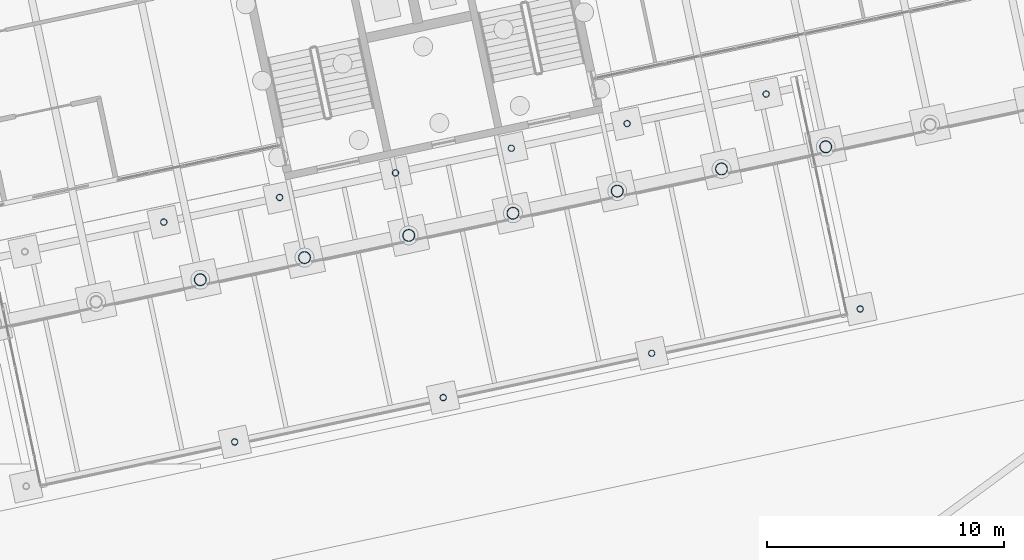
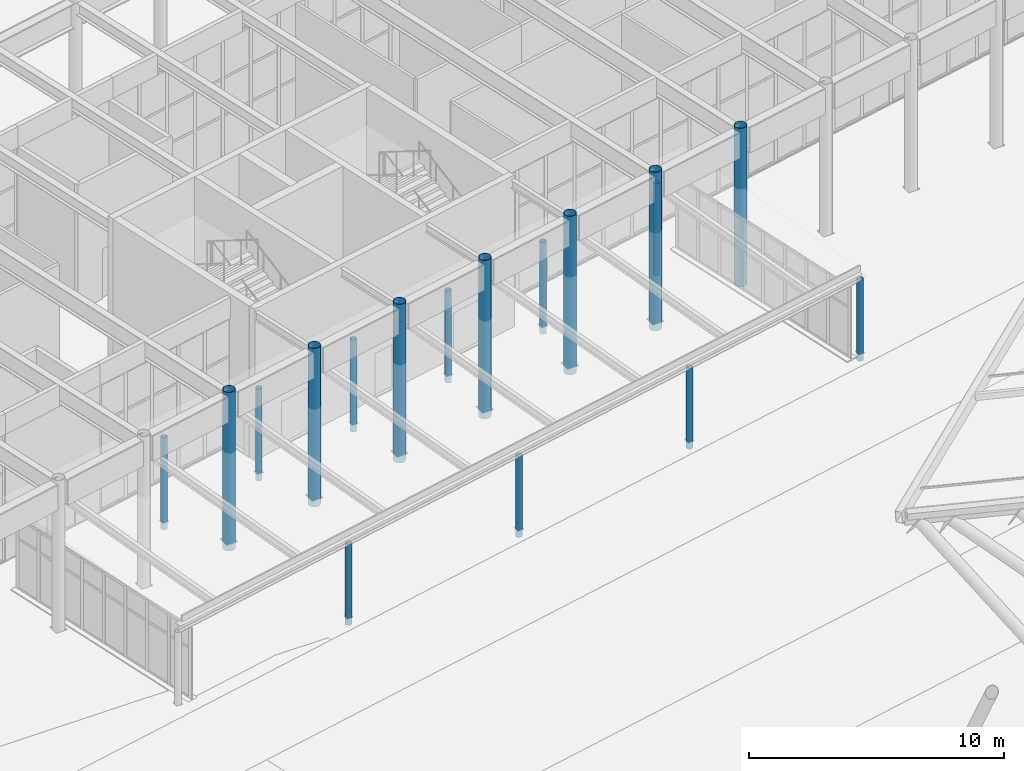
# One storey, part 19 of 239: 17 columns.
"""IFC4 building model written with IfcOpenShell, lengths in metres."""

from ifc_helpers import new_model, si_unit, direction, frame, origin, origin_2d, place, context, subcontext, project, spatial, hollow_circle, extrude, material, material_profile, profile_set, type_object, element, save


model = new_model("IFC4")

# Units and contexts
model_context = context("Model", 3, precision=1e-05, world=origin(), true_north=direction((0.0, 1.0)))
body_context = subcontext(model_context, "Body", "Model", "MODEL_VIEW")
ifc_project = project(units=[si_unit("LENGTHUNIT", "METRE"), si_unit("AREAUNIT", "SQUARE_METRE"), si_unit("VOLUMEUNIT", "CUBIC_METRE"), si_unit("PLANEANGLEUNIT", "RADIAN"), si_unit("MASSUNIT", "GRAM", prefix="KILO")], contexts=[model_context])

# Site, building, storey
site_placement = place(None, origin())
site = spatial("IfcSite", under=ifc_project, at=site_placement, CompositionType="ELEMENT")
building_placement = place(site_placement, origin())
building = spatial("IfcBuilding", under=site, at=building_placement, Name="Okhra Congress Centre", CompositionType="ELEMENT")
storey_placement = place(building_placement, origin())
storey = spatial("IfcBuildingStorey", under=building, at=storey_placement, Name="L00", CompositionType="ELEMENT", Elevation=0.0)

# Columns
ifc_material = material(Name="Steel S355J2H", Category="steel")
ifc_material_profile_1 = material_profile(ifc_material, hollow_circle(Radius=0.136474609375, WallThickness=0.012451171875, at=origin_2d()), Name="CHS 273x12.5")
ifc_profile_set_1 = profile_set([ifc_material_profile_1], Name="Steel S355J2H")
column_type_1 = type_object("IfcColumnType", Name="Porch column CHS 273x12.5", PredefinedType="COLUMN", material=ifc_profile_set_1)
for number, where, z_axis, x_axis, name in (
    (1, (132.89306640625, 34.931884765625, -0.39990234375), (0.0, 0.0, 1.0), (0.978147600734, 0.207911690818, 0.0), "Porch column S2"),
    (2, (141.6962890625, 36.802978515625, -0.39990234375), (0.0, 0.0, 1.0), (0.978147600734, 0.207911690818, 0.0), "Porch column S3"),
    (3, (150.499755859375, 38.67431640625, -0.39990234375), (0.0, 0.0, 1.0), (0.978147600734, 0.207911690818, 0.0), "Porch column S4"),
    (4, (159.302978515625, 40.54541015625, -0.39990234375), (0.0, 0.0, 1.0), (0.978147600734, 0.207911690818, 0.0), "Porch column S5"),
):
    element("IfcColumn", number, at=place(storey_placement, frame(where, z_axis=z_axis, x_axis=x_axis)), inside=storey, type_object=column_type_1, Name=name, PredefinedType="COLUMN", context=body_context, shape_type="SweptSolid", body=[
        extrude(hollow_circle(Radius=0.136474609375, WallThickness=0.012451171875, at=origin_2d()), origin(), (0.0, 0.0, 1.0), 3.880859375),
    ])
for number, where, z_axis, x_axis, name in (
    (5, (129.898193359375, 44.2119140625, -0.39990234375), (0.0, 0.0, 1.0), (0.978147600734, 0.207911690818, 0.0), "Porch column N2"),
    (6, (134.788818359375, 45.25146484375, -0.39990234375), (0.0, 0.0, 1.0), (0.978147600734, 0.207911690818, 0.0), "Porch column N3"),
    (7, (139.6796875, 46.291015625, -0.39990234375), (0.0, 0.0, 1.0), (0.978147600734, 0.207911690818, 0.0), "Porch column N4"),
    (8, (144.5703125, 47.33056640625, -0.39990234375), (0.0, 0.0, 1.0), (0.978147600734, 0.207911690818, 0.0), "Porch column N5"),
    (9, (149.461181640625, 48.3701171875, -0.39990234375), (0.0, 0.0, 1.0), (0.978147600734, 0.207911690818, 0.0), "Porch column N6"),
    (10, (155.329833984375, 49.61767578125, -0.39990234375), (0.0, 0.0, 1.0), (0.978147600734, 0.207911690818, 0.0), "Porch column N7"),
):
    element("IfcColumn", number, at=place(storey_placement, frame(where, z_axis=z_axis, x_axis=x_axis)), inside=storey, type_object=column_type_1, Name=name, PredefinedType="COLUMN", context=body_context, shape_type="SweptSolid", body=[
        extrude(hollow_circle(Radius=0.136474609375, WallThickness=0.012451171875, at=origin_2d()), origin(), (0.0, 0.0, 1.0), 4.38916015625),
    ])
ifc_material_profile_2 = material_profile(ifc_material, hollow_circle(Radius=0.25390625, WallThickness=0.01611328125, at=origin_2d()), Name="CHS 508x16")
ifc_profile_set_2 = profile_set([ifc_material_profile_2], Name="Steel S355J2H")
column_type_2 = type_object("IfcColumnType", Name="Round steel column CHS 508x16", PredefinedType="COLUMN", material=ifc_profile_set_2)
for number, where, z_axis, x_axis, name in (
    (11, (131.4375, 41.77880859375, -0.39990234375), (0.0, 0.0, 1.0), (0.978147600734, 0.207911690818, 0.0), "Round column 13S"),
    (12, (135.83935546875, 42.714599609375, -0.39990234375), (0.0, 0.0, 1.0), (0.978147600734, 0.207911690818, 0.0), "Round column 14S"),
    (13, (140.240966796875, 43.650146484375, -0.39990234375), (0.0, 0.0, 1.0), (0.978147600734, 0.207911690818, 0.0), "Round column 15S"),
    (14, (144.642578125, 44.585693359375, -0.39990234375), (0.0, 0.0, 1.0), (0.978147600734, 0.207911690818, 0.0), "Round column 16S"),
    (15, (149.044189453125, 45.521240234375, -0.39990234375), (0.0, 0.0, 1.0), (0.978147600734, 0.207911690818, 0.0), "Round column 17S"),
    (16, (153.446044921875, 46.456787109375, -0.39990234375), (0.0, 0.0, 1.0), (0.978147600734, 0.207911690818, 0.0), "Round column 18S"),
    (17, (157.84765625, 47.392578125, -0.39990234375), (0.0, 0.0, 1.0), (0.978147600734, 0.207911690818, 0.0), "Round column 19S"),
):
    element("IfcColumn", number, at=place(storey_placement, frame(where, z_axis=z_axis, x_axis=x_axis)), inside=storey, type_object=column_type_2, Name=name, PredefinedType="COLUMN", context=body_context, shape_type="SweptSolid", body=[
        extrude(hollow_circle(Radius=0.25390625, WallThickness=0.01611328125, at=origin_2d()), origin(), (0.0, 0.0, 1.0), 7.599853515625),
    ])

save(model, "model.ifc")
